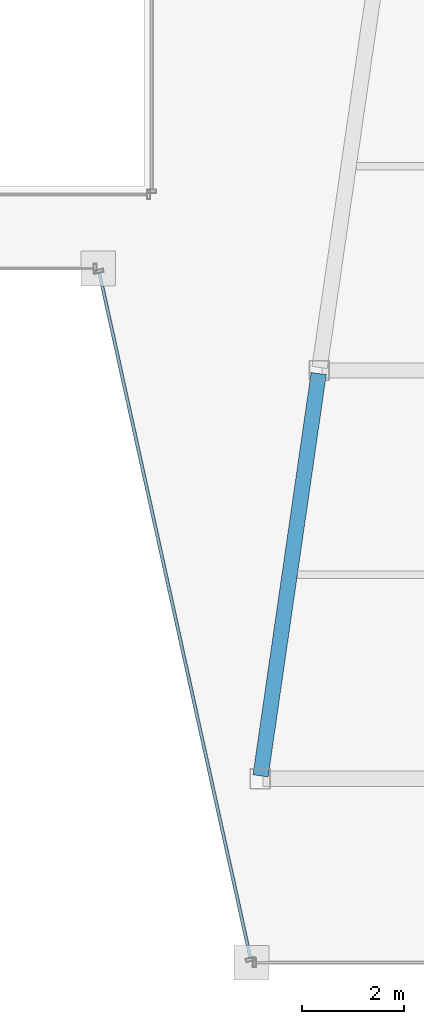
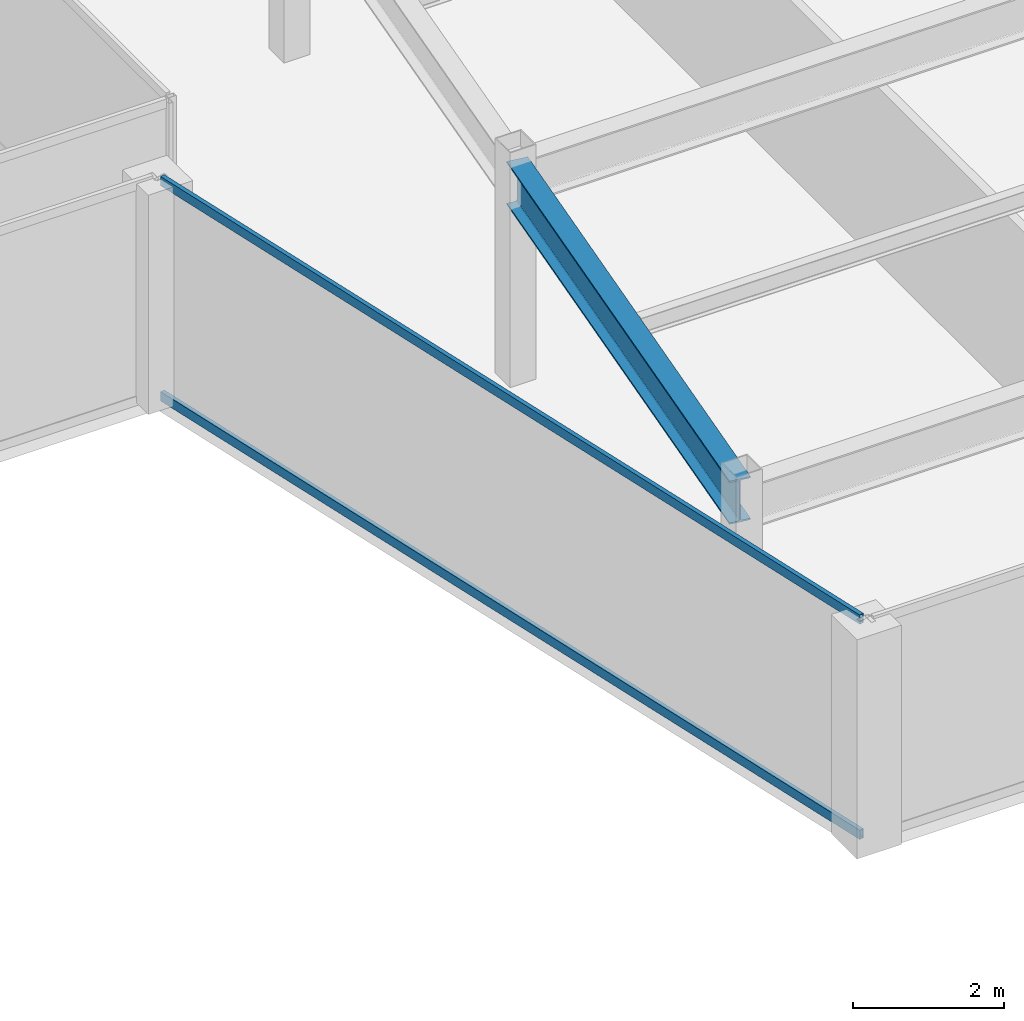
# One storey, part 17 of 35: 2 members, 1 beam, 1 element without a shape of its own.
"""IFC4 building model written with IfcOpenShell, lengths in metres."""

from ifc_helpers import new_model, si_unit, direction, frame, origin, origin_2d, place, context, subcontext, project, spatial, hollow_rectangle, i_section, extrude, material, material_profile, profile_set, type_object, element, aggregate, save


model = new_model("IFC4")

# Units and contexts
model_context = context("Model", 3, precision=1e-05, world=origin(), true_north=direction((0.0, 1.0)))
body_context = subcontext(model_context, "Body", "Model", "MODEL_VIEW")
ifc_project = project(units=[si_unit("LENGTHUNIT", "METRE"), si_unit("AREAUNIT", "SQUARE_METRE"), si_unit("VOLUMEUNIT", "CUBIC_METRE"), si_unit("PLANEANGLEUNIT", "RADIAN"), si_unit("MASSUNIT", "GRAM", prefix="KILO")], contexts=[model_context])

# Site, building, storey
site_placement = place(None, origin())
site = spatial("IfcSite", under=ifc_project, at=site_placement, CompositionType="ELEMENT")
building_placement = place(site_placement, origin())
building = spatial("IfcBuilding", under=site, at=building_placement, Name="Saevonmaru Cultural Tower", CompositionType="ELEMENT")
storey_placement = place(building_placement, frame((0.0, 0.0, 190.39990234375)))
storey = spatial("IfcBuildingStorey", under=building, at=storey_placement, Name="L43", CompositionType="ELEMENT", Elevation=190.39990234375)

# Beam
ifc_material_1 = material(Name="Steel SM355", Category="steel")
ifc_material_profile_1 = material_profile(ifc_material_1, i_section(OverallWidth=0.300048828125, OverallDepth=0.699951171875, WebThickness=0.012939453125, FlangeThickness=0.02392578125, FilletRadius=0.02587890625, at=origin_2d()), Name="H-700x300x13x24")
ifc_profile_set_1 = profile_set([ifc_material_profile_1], Name="Steel SM355")
beam_type = type_object("IfcBeamType", Name="BM-G-H700", PredefinedType="BEAM", material=ifc_profile_set_1)
beam_placement = place(storey_placement, frame((38.08056640625, 16.059326171875, 3.2001953125), z_axis=(0.143022161059, 0.989719486241, 0.0), x_axis=(-0.989719486241, 0.143022161059, 0.0)))
element("IfcBeam", 1, at=beam_placement, inside=storey, type_object=beam_type, Name="L43 East Atrium Girder 1", PredefinedType="BEAM", context=body_context, shape_type="SweptSolid", body=[
    extrude(i_section(OverallWidth=0.300048828125, OverallDepth=0.699951171875, WebThickness=0.012939453125, FlangeThickness=0.02392578125, FilletRadius=0.02587890625, at=origin_2d()), origin(), (0.0, 0.0, 1.0), 7.963134765625),
])

# Curtain wall, members
ifc_material_2 = material(Name="Satin Bronze Anodised Aluminium", Category="aluminium")
curtain_wall_type = type_object("IfcCurtainWallType", Name="CW-TYP-B", PredefinedType="NOTDEFINED", material=ifc_material_2)
curtain_wall_placement = place(storey_placement, origin())
curtain_wall = element("IfcCurtainWall", 2, at=curtain_wall_placement, inside=storey, type_object=curtain_wall_type, Name="L43 Unitised Curtain Wall E5", PredefinedType="NOTDEFINED")
ifc_material_profile_2 = material_profile(ifc_material_2, hollow_rectangle(XDim=0.06494140625, YDim=0.14990234375, WallThickness=0.00390625, at=origin_2d()), Name="ALU-TRAN-150x65x4")
ifc_profile_set_2 = profile_set([ifc_material_profile_2], Name="Satin Bronze Anodised Aluminium")
member_type = type_object("IfcMemberType", Name="TR-CW-150x65", PredefinedType="USERDEFINED", material=ifc_profile_set_2)
member_1_placement = place(storey_placement, frame((34.922119140625, 25.90966796875, 0.03271484375), z_axis=(0.21541214732, -0.976523223885, 0.0), x_axis=(0.976523223885, 0.21541214732, 0.0)))
member_1 = element("IfcMember", 3, at=member_1_placement, type_object=member_type, Name="CW-TW-L43-E5 transom 1.1", ObjectType="TRANSOM", PredefinedType="USERDEFINED", context=body_context, shape_type="SweptSolid", body=[
    extrude(hollow_rectangle(XDim=0.06494140625, YDim=0.14990234375, WallThickness=0.00390625, at=origin_2d()), origin(), (0.0, 0.0, 1.0), 13.741943359375),
])
member_2_placement = place(storey_placement, frame((34.922119140625, 25.90966796875, 3.517578125), z_axis=(0.21541214732, -0.976523223885, 0.0), x_axis=(0.976523223885, 0.21541214732, 0.0)))
member_2 = element("IfcMember", 4, at=member_2_placement, type_object=member_type, Name="CW-TW-L43-E5 transom 1.2", ObjectType="TRANSOM", PredefinedType="USERDEFINED", context=body_context, shape_type="SweptSolid", body=[
    extrude(hollow_rectangle(XDim=0.06494140625, YDim=0.14990234375, WallThickness=0.00390625, at=origin_2d()), origin(), (0.0, 0.0, 1.0), 13.741943359375),
])
aggregate(curtain_wall, [member_1, member_2])

save(model, "model.ifc")
